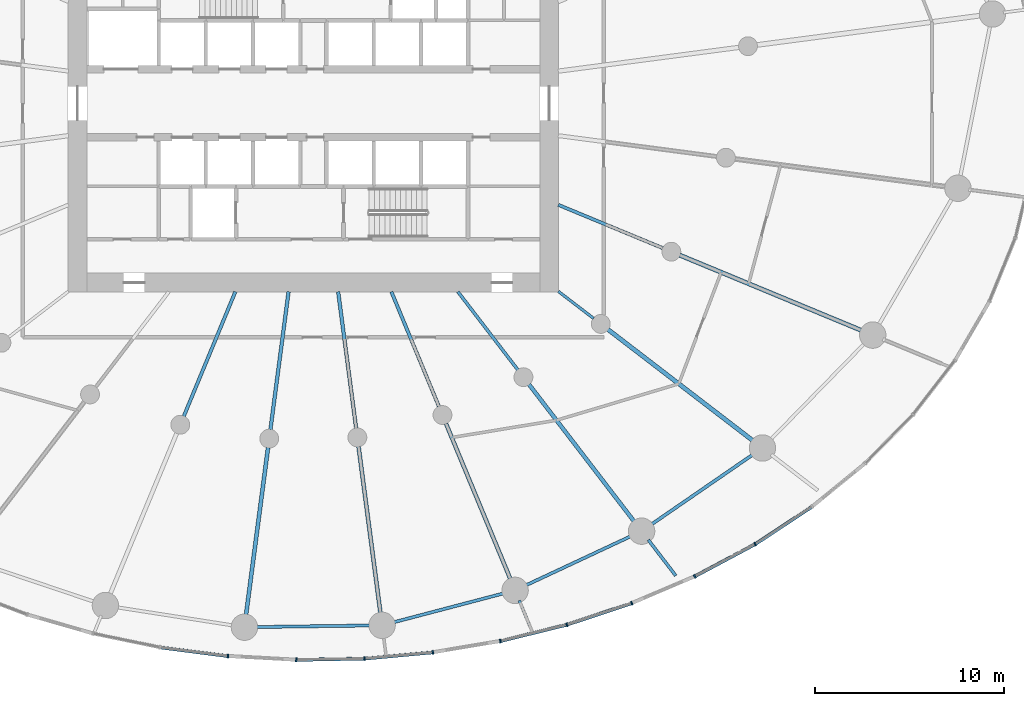
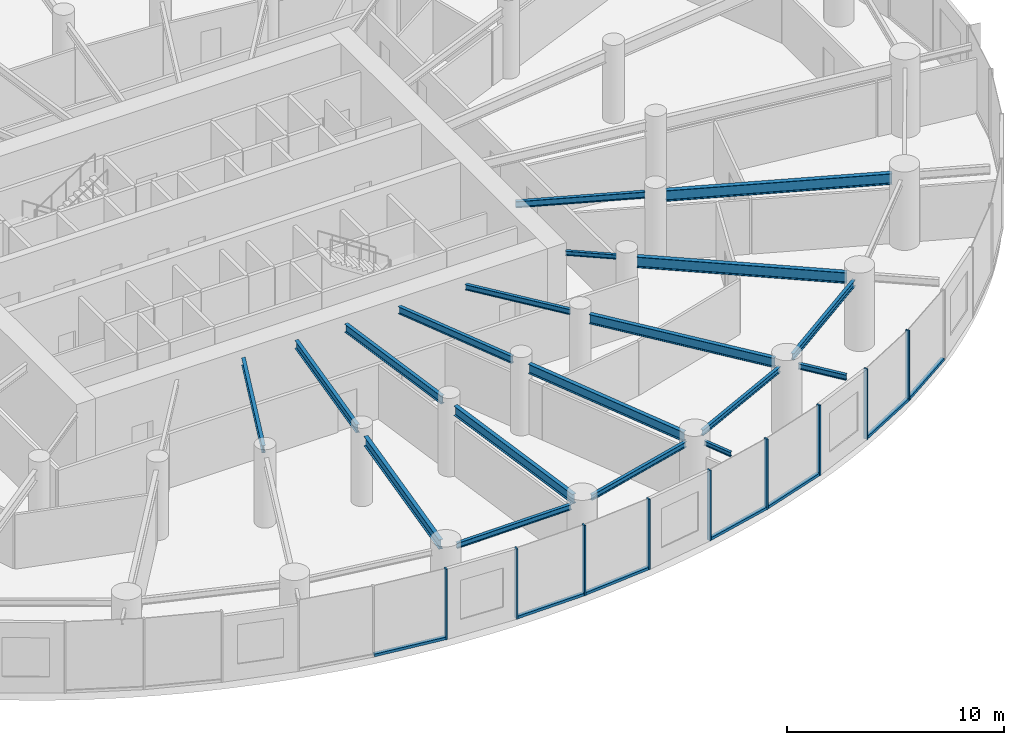
# One storey, part 4 of 19: 19 beams, 16 members, 2 elements without a shape of their own.
"""IFC4 building model written with IfcOpenShell, lengths in metres."""

import ifcopenshell
import ifcopenshell.guid

model = None  # the IFC model being written
_history = None  # IfcOwnerHistory: only IFC2X3 demands one
_inside = {}  # id of a spatial element -> (the spatial element, [elements in it])
_under = {}  # id of a project, library or spatial element -> (it, [spatial elements below it])
_declared = {}  # id of a project -> (the project, [libraries it declares])
_typed = {}  # id of a type object -> (the type object, [elements of that type])
_made_of = {}  # id of a material, layer set ... -> (it, [elements and type objects made of it])


def new_model(schema):
    """Start an empty IFC model of exactly this schema.

    Asked for "IFC4X3", IfcOpenShell would pick the latest addendum, in which some entities
    have other attributes; the version numbers below select the first issue.
    IFC2X3 requires an IfcOwnerHistory on every rooted entity: one is made here for all.
    """
    global model, _history
    if schema == "IFC4X3":
        model = ifcopenshell.file(schema_version=(4, 3, 0, 0))
    else:
        model = ifcopenshell.file(schema=schema)
    _inside.clear()
    _under.clear()
    _declared.clear()
    _typed.clear()
    _made_of.clear()
    _history = None
    if model.schema == "IFC2X3":
        org = make("IfcOrganization", Name="unknown")
        user = make(
            "IfcPersonAndOrganization",
            ThePerson=make("IfcPerson", FamilyName="unknown"),
            TheOrganization=org,
        )
        app = make(
            "IfcApplication",
            ApplicationDeveloper=org,
            Version="unknown",
            ApplicationFullName="unknown",
            ApplicationIdentifier="unknown",
        )
        _history = make(
            "IfcOwnerHistory",
            OwningUser=user,
            OwningApplication=app,
            ChangeAction="ADDED",
            CreationDate=0,
        )
    return model


def make(cls, **values):
    """One entity of the class cls with the attributes given. An attribute that is None is left unset."""
    return model.create_entity(
        cls, **{name: value for name, value in values.items() if value is not None}
    )


def rooted(cls, **values):
    """An entity with a GlobalId (a new one), such as an element, a storey or a relation."""
    return make(cls, GlobalId=ifcopenshell.guid.new(), OwnerHistory=_history, **values)


def si_unit(unit_type, name, prefix=None):
    """IfcSIUnit, for example si_unit("LENGTHUNIT", "METRE", prefix="MILLI")."""
    return make("IfcSIUnit", UnitType=unit_type, Prefix=prefix, Name=name)


def assignment(units):
    """IfcUnitAssignment: the units of a project."""
    return None if units is None else make("IfcUnitAssignment", Units=units)


def point(xyz):
    """IfcCartesianPoint."""
    return None if xyz is None else make("IfcCartesianPoint", Coordinates=xyz)


def direction(xyz):
    """IfcDirection."""
    return None if xyz is None else make("IfcDirection", DirectionRatios=xyz)


def frame(location, z_axis=None, x_axis=None):
    """IfcAxis2Placement3D, a coordinate frame: its origin and axes. An axis left out is left unset."""
    return make(
        "IfcAxis2Placement3D",
        Location=point(location),
        Axis=direction(z_axis),
        RefDirection=direction(x_axis),
    )


def frame_2d(location, x_axis=None):
    """IfcAxis2Placement2D, a coordinate frame in the plane: its origin and x axis."""
    return make(
        "IfcAxis2Placement2D", Location=point(location), RefDirection=direction(x_axis)
    )


def origin():
    """The frame at (0, 0, 0) with its axes left unset."""
    return frame((0.0, 0.0, 0.0))


def origin_2d():
    """The frame at (0, 0) in the plane with its x axis left unset."""
    return frame_2d((0.0, 0.0))


def place(relative_to, where):
    """IfcLocalPlacement: puts the frame where relative to a parent placement (None: the world)."""
    return make(
        "IfcLocalPlacement", PlacementRelTo=relative_to, RelativePlacement=where
    )


def context(
    kind, dimensions, precision=None, world=None, true_north=None, identifier=None
):
    """IfcGeometricRepresentationContext, for example the 3D "Model" context."""
    return make(
        "IfcGeometricRepresentationContext",
        ContextIdentifier=identifier,
        ContextType=kind,
        CoordinateSpaceDimension=dimensions,
        Precision=precision,
        WorldCoordinateSystem=world,
        TrueNorth=true_north,
    )


def subcontext(parent, identifier, kind, view, scale=None):
    """IfcGeometricRepresentationSubContext, for example "Body" below "Model"."""
    return make(
        "IfcGeometricRepresentationSubContext",
        ContextIdentifier=identifier,
        ContextType=kind,
        ParentContext=parent,
        TargetScale=scale,
        TargetView=view,
    )


def project(units=None, contexts=None):
    """IfcProject with its units and contexts."""
    return rooted(
        "IfcProject",
        Name="project",
        RepresentationContexts=contexts,
        UnitsInContext=assignment(units),
    )


def spatial(cls, under=None, at=None, **own):
    """A site, building, storey or space (cls), placed at a placement, below another one or the project."""
    s = rooted(cls, ObjectPlacement=at, **own)
    if under is not None:
        _under.setdefault(under.id(), (under, []))[1].append(s)
    return s


def profile(cls, at=None, kind="AREA", **sizes):
    """A parametric profile (cls). Its sizes go by their IFC names, for example OverallWidth=200.0."""
    return make(cls, ProfileType=kind, Position=at, **sizes)


def rectangle(**sizes):
    """IfcRectangleProfileDef."""
    return profile("IfcRectangleProfileDef", **sizes)


def i_section(**sizes):
    """IfcIShapeProfileDef."""
    return profile("IfcIShapeProfileDef", **sizes)


def extrude(swept, where, along, depth):
    """IfcExtrudedAreaSolid: the profile swept, set in the frame where, extruded along a direction by depth."""
    return make(
        "IfcExtrudedAreaSolid",
        SweptArea=swept,
        Position=where,
        ExtrudedDirection=direction(along),
        Depth=depth,
    )


def shape(context_of_items, identifier, shape_type, items):
    """IfcShapeRepresentation: the items that make up one representation, for example the "Body"."""
    return make(
        "IfcShapeRepresentation",
        ContextOfItems=context_of_items,
        RepresentationIdentifier=identifier,
        RepresentationType=shape_type,
        Items=items,
    )


def source(mapping_origin, context_of_items, identifier, shape_type, items):
    """IfcRepresentationMap: a shape defined once, which mapped items show again and again."""
    return make(
        "IfcRepresentationMap",
        MappingOrigin=mapping_origin,
        MappedRepresentation=shape(context_of_items, identifier, shape_type, items),
    )


def transform(
    local_origin,
    x_axis=None,
    y_axis=None,
    z_axis=None,
    scale=None,
    scale2=None,
    scale3=None,
    uniform=True,
):
    """IfcCartesianTransformationOperator3D, or its non-uniform kind. x_axis, y_axis, z_axis: its Axis1, 2, 3."""
    if uniform:
        return make(
            "IfcCartesianTransformationOperator3D",
            Axis1=direction(x_axis),
            Axis2=direction(y_axis),
            LocalOrigin=point(local_origin),
            Scale=scale,
            Axis3=direction(z_axis),
        )
    return make(
        "IfcCartesianTransformationOperator3DnonUniform",
        Axis1=direction(x_axis),
        Axis2=direction(y_axis),
        LocalOrigin=point(local_origin),
        Scale=scale,
        Axis3=direction(z_axis),
        Scale2=scale2,
        Scale3=scale3,
    )


def mapped(mapping_source, mapping_target):
    """IfcMappedItem: shows the shape of a source again, moved by a transform."""
    return make(
        "IfcMappedItem", MappingSource=mapping_source, MappingTarget=mapping_target
    )


def material(Name=None, Category=None):
    """IfcMaterial."""
    return make("IfcMaterial", Name=Name, Category=Category)


def layer(
    of_material, thickness, ventilated=None, Name=None, Category=None, Priority=None
):
    """IfcMaterialLayer: one layer of a wall or slab, of a material (None: an air gap)."""
    return make(
        "IfcMaterialLayer",
        Material=of_material,
        LayerThickness=thickness,
        IsVentilated=ventilated,
        Name=Name,
        Category=Category,
        Priority=Priority,
    )


def layer_set(layers, Name=None):
    """IfcMaterialLayerSet."""
    return make("IfcMaterialLayerSet", MaterialLayers=layers, LayerSetName=Name)


def material_profile(
    of_material, cross_section, Name=None, Category=None, Priority=None
):
    """IfcMaterialProfile: a cross section and its material."""
    return make(
        "IfcMaterialProfile",
        Name=Name,
        Material=of_material,
        Profile=cross_section,
        Priority=Priority,
        Category=Category,
    )


def profile_set(profiles, Name=None, composite=None):
    """IfcMaterialProfileSet."""
    return make(
        "IfcMaterialProfileSet",
        Name=Name,
        MaterialProfiles=profiles,
        CompositeProfile=composite,
    )


def made_of(thing, what):
    """Note that an element or type object is made of a material, layer set ...; save() writes the relation."""
    if what is not None:
        _made_of.setdefault(what.id(), (what, []))[1].append(thing)
    return thing


def type_object(cls, material=None, **own):
    """A type object (cls), such as IfcWallType, which elements share."""
    return made_of(rooted(cls, **own), material)


def element(
    cls,
    number,
    at=None,
    inside=None,
    cuts=None,
    type_object=None,
    material=None,
    context=None,
    identifier="Body",
    shape_type=None,
    held_by="IfcProductDefinitionShape",
    body=None,
    shapes=None,
    **own,
):
    """One element of the class cls, such as IfcWall. Its Tag is "e" and its number.

    at: its placement. inside: the storey or other place that contains it. cuts: it is an
    opening in that element (IfcRelVoidsElement). A single representation is given by context,
    identifier, shape_type and body (its items); several are given by shapes. held_by: the class
    of the entity that holds the representations. save() writes the other relations.
    """
    e = rooted(cls, Tag="e%d" % number, ObjectPlacement=at, **own)
    if body is not None:
        shapes = [shape(context, identifier, shape_type, body)]
    if shapes is not None:
        e.Representation = make(held_by, Representations=shapes)
    if inside is not None:
        _inside.setdefault(inside.id(), (inside, []))[1].append(e)
    if cuts is not None:
        rooted(
            "IfcRelVoidsElement", RelatingBuildingElement=cuts, RelatedOpeningElement=e
        )
    if type_object is not None:
        _typed.setdefault(type_object.id(), (type_object, []))[1].append(e)
    return made_of(e, material)


def aggregate(whole, parts):
    """IfcRelAggregates: a whole, such as a stair, and the parts it consists of."""
    return rooted("IfcRelAggregates", RelatingObject=whole, RelatedObjects=parts)


def save(model, path):
    """Write the relations noted so far, then the file.

    IfcRelAggregates (storeys below a building ...), IfcRelContainedInSpatialStructure (elements
    in a storey), IfcRelDefinesByType, IfcRelAssociatesMaterial and IfcRelDeclares: one each for
    every whole, place, type object, material and project.
    """
    for whole, parts in _under.values():
        aggregate(whole, parts)
    for where, things in _inside.values():
        rooted(
            "IfcRelContainedInSpatialStructure",
            RelatedElements=things,
            RelatingStructure=where,
        )
    for kind, things in _typed.values():
        rooted("IfcRelDefinesByType", RelatedObjects=things, RelatingType=kind)
    for what, things in _made_of.values():
        rooted("IfcRelAssociatesMaterial", RelatedObjects=things, RelatingMaterial=what)
    for by, libraries in _declared.values():
        rooted("IfcRelDeclares", RelatingContext=by, RelatedDefinitions=libraries)
    model.write(path)


model = new_model("IFC4")

# Units and contexts
model_context = context("Model", 3, precision=1e-05, world=origin(), true_north=direction((0.0, 1.0)))
body_context = subcontext(model_context, "Body", "Model", "MODEL_VIEW")
ifc_project = project(units=[si_unit("LENGTHUNIT", "METRE"), si_unit("AREAUNIT", "SQUARE_METRE"), si_unit("VOLUMEUNIT", "CUBIC_METRE"), si_unit("PLANEANGLEUNIT", "RADIAN"), si_unit("MASSUNIT", "GRAM", prefix="KILO")], contexts=[model_context])

# Site, building, storey
site_placement = place(None, origin())
site = spatial("IfcSite", under=ifc_project, at=site_placement, CompositionType="ELEMENT")
building_placement = place(site_placement, origin())
building = spatial("IfcBuilding", under=site, at=building_placement, Name="Spindrift Exchange Tower", CompositionType="ELEMENT")
storey_placement = place(building_placement, frame((0.0, 0.0, 22.60009765625)))
storey = spatial("IfcBuildingStorey", under=building, at=storey_placement, Name="L05", CompositionType="ELEMENT", Elevation=22.60009765625)

# Beams
ifc_material_1 = material(Name="Steel Grade 300", Category="steel")
ifc_material_profile_1 = material_profile(ifc_material_1, i_section(OverallWidth=0.177978515625, OverallDepth=0.406005859375, WebThickness=0.0078125, FlangeThickness=0.0126953125, FilletRadius=0.013916015625, at=origin_2d()), Name="410UB59.7")
ifc_profile_set_1 = profile_set([ifc_material_profile_1], Name="Steel Grade 300")
beam_type_1 = type_object("IfcBeamType", Name="Floor Beam 410UB59.7 Steel Grade 300", PredefinedType="BEAM", material=ifc_profile_set_1)
shared_shape_1 = source(origin(), body_context, "Body", "SweptSolid", [
    extrude(i_section(OverallWidth=0.177978515625, OverallDepth=0.406005859375, WebThickness=0.0078125, FlangeThickness=0.0126953125, FilletRadius=0.013916015625, at=origin_2d()), origin(), (0.0, 0.0, 1.0), 7.150634765625),
])
beam_1_placement = place(storey_placement, frame((47.865478515625, 38.0185546875, 3.746826171875), z_axis=(-0.382665393358, -0.923887004306, 0.0), x_axis=(0.923887004306, -0.382665393358, 0.0)))
element("IfcBeam", 1, at=beam_1_placement, inside=storey, type_object=beam_type_1, Name="L05 radial beam R17A", PredefinedType="BEAM", context=body_context, shape_type="MappedRepresentation", body=[
    mapped(shared_shape_1, transform((0.0, 0.0, 0.0), scale=1.0)),
])
ifc_material_profile_2 = material_profile(ifc_material_1, i_section(OverallWidth=0.18994140625, OverallDepth=0.45703125, WebThickness=0.009033203125, FlangeThickness=0.014404296875, FilletRadius=0.013916015625, at=origin_2d()), Name="460UB74.6")
ifc_profile_set_2 = profile_set([ifc_material_profile_2], Name="Steel Grade 300")
beam_type_2 = type_object("IfcBeamType", Name="Floor Beam 460UB74.6 Steel Grade 300", PredefinedType="BEAM", material=ifc_profile_set_2)
shared_shape_2 = source(origin(), body_context, "Body", "SweptSolid", [
    extrude(i_section(OverallWidth=0.18994140625, OverallDepth=0.45703125, WebThickness=0.009033203125, FlangeThickness=0.014404296875, FilletRadius=0.013916015625, at=origin_2d()), origin(), (0.0, 0.0, 1.0), 7.374267578125),
])
beam_2_placement = place(storey_placement, frame((50.68603515625, 38.019775390625, 3.721435546875), z_axis=(-0.130539295622, -0.99144313619, 0.0), x_axis=(0.99144313619, -0.130539295622, 0.0)))
element("IfcBeam", 2, at=beam_2_placement, inside=storey, type_object=beam_type_2, Name="L05 radial beam R18A", PredefinedType="BEAM", context=body_context, shape_type="MappedRepresentation", body=[
    mapped(shared_shape_2, transform((0.0, 0.0, 0.0), scale=1.0)),
])
ifc_material_profile_3 = material_profile(ifc_material_1, i_section(OverallWidth=0.208984375, OverallDepth=0.532958984375, WebThickness=0.01025390625, FlangeThickness=0.015625, FilletRadius=0.013916015625, at=origin_2d()), Name="530UB92.4")
ifc_profile_set_3 = profile_set([ifc_material_profile_3], Name="Steel Grade 300")
beam_type_3 = type_object("IfcBeamType", Name="Floor Beam 530UB92.4 Steel Grade 300", PredefinedType="BEAM", material=ifc_profile_set_3)
shared_shape_3 = source(origin(), body_context, "Body", "SweptSolid", [
    extrude(i_section(OverallWidth=0.208984375, OverallDepth=0.532958984375, WebThickness=0.01025390625, FlangeThickness=0.015625, FilletRadius=0.013916015625, at=origin_2d()), origin(), (0.0, 0.0, 1.0), 9.020263671875),
])
beam_3_placement = place(storey_placement, frame((49.59814453125, 29.7568359375, 3.683349609375), z_axis=(-0.13051122338, -0.991446831944, 0.0), x_axis=(0.991446831944, -0.13051122338, 0.0)))
element("IfcBeam", 3, at=beam_3_placement, inside=storey, type_object=beam_type_3, Name="L05 radial beam R18B", PredefinedType="BEAM", context=body_context, shape_type="MappedRepresentation", body=[
    mapped(shared_shape_3, transform((0.0, 0.0, 0.0), scale=1.0)),
])
shared_shape_4 = source(origin(), body_context, "Body", "SweptSolid", [
    extrude(i_section(OverallWidth=0.18994140625, OverallDepth=0.45703125, WebThickness=0.009033203125, FlangeThickness=0.014404296875, FilletRadius=0.013916015625, at=origin_2d()), origin(), (0.0, 0.0, 1.0), 7.3095703125),
])
beam_4_placement = place(storey_placement, frame((53.31396484375, 38.019775390625, 3.721435546875), z_axis=(0.130527087244, -0.991444743541, 0.0), x_axis=(0.991444743541, 0.130527087244, 0.0)))
element("IfcBeam", 4, at=beam_4_placement, inside=storey, type_object=beam_type_2, Name="L05 radial beam R19A", PredefinedType="BEAM", context=body_context, shape_type="MappedRepresentation", body=[
    mapped(shared_shape_4, transform((0.0, 0.0, 0.0), scale=1.0)),
])
shared_shape_5 = source(origin(), body_context, "Body", "SweptSolid", [
    extrude(i_section(OverallWidth=0.208984375, OverallDepth=0.532958984375, WebThickness=0.01025390625, FlangeThickness=0.015625, FilletRadius=0.013916015625, at=origin_2d()), origin(), (0.0, 0.0, 1.0), 8.98388671875),
])
beam_5_placement = place(storey_placement, frame((54.393310546875, 29.82080078125, 3.683349609375), z_axis=(0.130524106785, -0.991445135924, 0.0), x_axis=(0.991445135924, 0.130524106785, 0.0)))
element("IfcBeam", 5, at=beam_5_placement, inside=storey, type_object=beam_type_3, Name="L05 radial beam R19B", PredefinedType="BEAM", context=body_context, shape_type="MappedRepresentation", body=[
    mapped(shared_shape_5, transform((0.0, 0.0, 0.0), scale=1.0)),
])
shared_shape_6 = source(origin(), body_context, "Body", "SweptSolid", [
    extrude(i_section(OverallWidth=0.177978515625, OverallDepth=0.406005859375, WebThickness=0.0078125, FlangeThickness=0.0126953125, FilletRadius=0.013916015625, at=origin_2d()), origin(), (0.0, 0.0, 1.0), 6.594482421875),
])
beam_6_placement = place(storey_placement, frame((56.134521484375, 38.0185546875, 3.746826171875), z_axis=(0.382692929746, -0.92387559851, 0.0), x_axis=(0.92387559851, 0.382692929746, 0.0)))
element("IfcBeam", 6, at=beam_6_placement, inside=storey, type_object=beam_type_1, Name="L05 radial beam R20A", PredefinedType="BEAM", context=body_context, shape_type="MappedRepresentation", body=[
    mapped(shared_shape_6, transform((0.0, 0.0, 0.0), scale=1.0)),
])
shared_shape_7 = source(origin(), body_context, "Body", "SweptSolid", [
    extrude(i_section(OverallWidth=0.208984375, OverallDepth=0.532958984375, WebThickness=0.01025390625, FlangeThickness=0.015625, FilletRadius=0.013916015625, at=origin_2d()), origin(), (0.0, 0.0, 1.0), 8.99658203125),
])
beam_7_placement = place(storey_placement, frame((59.025390625, 31.0390625, 3.683349609375), z_axis=(0.382685731718, -0.923878580085, 0.0), x_axis=(0.923878580085, 0.382685731718, 0.0)))
element("IfcBeam", 7, at=beam_7_placement, inside=storey, type_object=beam_type_3, Name="L05 radial beam R20B", PredefinedType="BEAM", context=body_context, shape_type="MappedRepresentation", body=[
    mapped(shared_shape_7, transform((0.0, 0.0, 0.0), scale=1.0)),
])
ifc_material_profile_4 = material_profile(ifc_material_1, i_section(OverallWidth=0.1650390625, OverallDepth=0.303955078125, WebThickness=0.006103515625, FlangeThickness=0.01025390625, FilletRadius=0.011474609375, at=origin_2d()), Name="310UB40.4")
ifc_profile_set_4 = profile_set([ifc_material_profile_4], Name="Steel Grade 300")
beam_type_4 = type_object("IfcBeamType", Name="Floor Beam 310UB40.4 Steel Grade 300", PredefinedType="BEAM", material=ifc_profile_set_4)
shared_shape_8 = source(origin(), body_context, "Body", "SweptSolid", [
    extrude(i_section(OverallWidth=0.1650390625, OverallDepth=0.303955078125, WebThickness=0.006103515625, FlangeThickness=0.01025390625, FilletRadius=0.011474609375, at=origin_2d()), origin(), (0.0, 0.0, 1.0), 5.224609375),
])
beam_8_placement = place(storey_placement, frame((59.6611328125, 38.015869140625, 3.7978515625), z_axis=(0.608741499316, -0.793368632485, 0.0), x_axis=(0.793368632485, 0.608741499316, 0.0)))
element("IfcBeam", 8, at=beam_8_placement, inside=storey, type_object=beam_type_4, Name="L05 radial beam R21A", PredefinedType="BEAM", context=body_context, shape_type="MappedRepresentation", body=[
    mapped(shared_shape_8, transform((0.0, 0.0, 0.0), scale=1.0)),
])
shared_shape_9 = source(origin(), body_context, "Body", "SweptSolid", [
    extrude(i_section(OverallWidth=0.208984375, OverallDepth=0.532958984375, WebThickness=0.01025390625, FlangeThickness=0.015625, FilletRadius=0.013916015625, at=origin_2d()), origin(), (0.0, 0.0, 1.0), 9.227783203125),
])
beam_9_placement = place(storey_placement, frame((63.426025390625, 33.109375, 3.683349609375), z_axis=(0.608747534474, -0.79336400175, 0.0), x_axis=(0.79336400175, 0.608747534474, 0.0)))
element("IfcBeam", 9, at=beam_9_placement, inside=storey, type_object=beam_type_3, Name="L05 radial beam R21B", PredefinedType="BEAM", context=body_context, shape_type="MappedRepresentation", body=[
    mapped(shared_shape_9, transform((0.0, 0.0, 0.0), scale=1.0)),
])
ifc_material_profile_5 = material_profile(ifc_material_1, i_section(OverallWidth=0.14599609375, OverallDepth=0.251953125, WebThickness=0.006103515625, FlangeThickness=0.008544921875, FilletRadius=0.011962890625, at=origin_2d()), Name="250UB31.4")
ifc_profile_set_5 = profile_set([ifc_material_profile_5], Name="Steel Grade 300")
beam_type_5 = type_object("IfcBeamType", Name="Floor Beam 250UB31.4 Steel Grade 300", PredefinedType="BEAM", material=ifc_profile_set_5)
shared_shape_10 = source(origin(), body_context, "Body", "SweptSolid", [
    extrude(i_section(OverallWidth=0.14599609375, OverallDepth=0.251953125, WebThickness=0.006103515625, FlangeThickness=0.008544921875, FilletRadius=0.011962890625, at=origin_2d()), origin(), (0.0, 0.0, 1.0), 2.353759765625),
])
beam_10_placement = place(storey_placement, frame((64.984130859375, 38.036865234375, 3.823974609375), z_axis=(0.793367573265, -0.608742879787, 0.0), x_axis=(0.608742879787, 0.793367573265, 0.0)))
element("IfcBeam", 10, at=beam_10_placement, inside=storey, type_object=beam_type_5, Name="L05 radial beam R22A", PredefinedType="BEAM", context=body_context, shape_type="MappedRepresentation", body=[
    mapped(shared_shape_10, transform((0.0, 0.0, 0.0), scale=1.0)),
])
ifc_material_profile_6 = material_profile(ifc_material_1, i_section(OverallWidth=0.22802734375, OverallDepth=0.60693359375, WebThickness=0.01123046875, FlangeThickness=0.017333984375, FilletRadius=0.013916015625, at=origin_2d()), Name="610UB113")
ifc_profile_set_6 = profile_set([ifc_material_profile_6], Name="Steel Grade 300")
beam_type_6 = type_object("IfcBeamType", Name="Floor Beam 610UB113 Steel Grade 300", PredefinedType="BEAM", material=ifc_profile_set_6)
shared_shape_11 = source(origin(), body_context, "Body", "SweptSolid", [
    extrude(i_section(OverallWidth=0.22802734375, OverallDepth=0.60693359375, WebThickness=0.01123046875, FlangeThickness=0.017333984375, FilletRadius=0.013916015625, at=origin_2d()), origin(), (0.0, 0.0, 1.0), 9.73974609375),
])
beam_11_placement = place(storey_placement, frame((67.61328125, 36.01953125, 3.646484375), z_axis=(0.793352119621, -0.608763019814, 0.0), x_axis=(0.608763019814, 0.793352119621, 0.0)))
element("IfcBeam", 11, at=beam_11_placement, inside=storey, type_object=beam_type_6, Name="L05 radial beam R22B", PredefinedType="BEAM", context=body_context, shape_type="MappedRepresentation", body=[
    mapped(shared_shape_11, transform((0.0, 0.0, 0.0), scale=1.0)),
])
ifc_material_profile_7 = material_profile(ifc_material_1, i_section(OverallWidth=0.172119140625, OverallDepth=0.35888671875, WebThickness=0.008056640625, FlangeThickness=0.012939453125, FilletRadius=0.013916015625, at=origin_2d()), Name="360UB56.7")
ifc_profile_set_7 = profile_set([ifc_material_profile_7], Name="Steel Grade 300")
beam_type_7 = type_object("IfcBeamType", Name="Floor Beam 360UB56.7 Steel Grade 300", PredefinedType="BEAM", material=ifc_profile_set_7)
shared_shape_12 = source(origin(), body_context, "Body", "SweptSolid", [
    extrude(i_section(OverallWidth=0.172119140625, OverallDepth=0.35888671875, WebThickness=0.008056640625, FlangeThickness=0.012939453125, FilletRadius=0.013916015625, at=origin_2d()), origin(), (0.0, 0.0, 1.0), 6.004638671875),
])
beam_12_placement = place(storey_placement, frame((64.9814453125, 42.622802734375, 3.7705078125), z_axis=(0.923882044911, -0.38267736684, 0.0), x_axis=(0.38267736684, 0.923882044911, 0.0)))
element("IfcBeam", 12, at=beam_12_placement, inside=storey, type_object=beam_type_7, Name="L05 radial beam R23A", PredefinedType="BEAM", context=body_context, shape_type="MappedRepresentation", body=[
    mapped(shared_shape_12, transform((0.0, 0.0, 0.0), scale=1.0)),
])
shared_shape_13 = source(origin(), body_context, "Body", "SweptSolid", [
    extrude(i_section(OverallWidth=0.22802734375, OverallDepth=0.60693359375, WebThickness=0.01123046875, FlangeThickness=0.017333984375, FilletRadius=0.013916015625, at=origin_2d()), origin(), (0.0, 0.0, 1.0), 10.4912109375),
])
beam_13_placement = place(storey_placement, frame((71.416015625, 39.95751953125, 3.646484375), z_axis=(0.923885231151, -0.382669674342, 0.0), x_axis=(0.382669674342, 0.923885231151, 0.0)))
element("IfcBeam", 13, at=beam_13_placement, inside=storey, type_object=beam_type_6, Name="L05 radial beam R23B", PredefinedType="BEAM", context=body_context, shape_type="MappedRepresentation", body=[
    mapped(shared_shape_13, transform((0.0, 0.0, 0.0), scale=1.0)),
])
ifc_material_profile_8 = material_profile(ifc_material_1, i_section(OverallWidth=0.1650390625, OverallDepth=0.303955078125, WebThickness=0.006103515625, FlangeThickness=0.01025390625, FilletRadius=0.011474609375, at=origin_2d()), Name="310UB40.4")
ifc_profile_set_8 = profile_set([ifc_material_profile_8], Name="Steel Grade 300")
beam_type_8 = type_object("IfcBeamType", Name="Edge Beam 310UB40.4 Steel Grade 300", PredefinedType="SPANDREL", material=ifc_profile_set_8)
shared_shape_14 = source(origin(), body_context, "Body", "SweptSolid", [
    extrude(i_section(OverallWidth=0.1650390625, OverallDepth=0.303955078125, WebThickness=0.006103515625, FlangeThickness=0.01025390625, FilletRadius=0.011474609375, at=origin_2d()), origin(), (0.0, 0.0, 1.0), 6.13720703125),
])
beam_14_placement = place(storey_placement, frame((48.925048828125, 20.24658203125, 3.7978515625), z_axis=(0.999905820907, 0.013724041543, 0.0), x_axis=(-0.013724041543, 0.999905820907, 0.0)))
element("IfcBeam", 14, at=beam_14_placement, inside=storey, type_object=beam_type_8, Name="L05 edge beam E18", PredefinedType="SPANDREL", context=body_context, shape_type="MappedRepresentation", body=[
    mapped(shared_shape_14, transform((0.0, 0.0, 0.0), scale=1.0)),
])
shared_shape_15 = source(origin(), body_context, "Body", "SweptSolid", [
    extrude(i_section(OverallWidth=0.1650390625, OverallDepth=0.303955078125, WebThickness=0.006103515625, FlangeThickness=0.01025390625, FilletRadius=0.011474609375, at=origin_2d()), origin(), (0.0, 0.0, 1.0), 6.128173828125),
])
beam_15_placement = place(storey_placement, frame((56.20263671875, 20.486083984375, 3.7978515625), z_axis=(0.967147261855, 0.254216785216, 0.0), x_axis=(-0.254216785216, 0.967147261855, 0.0)))
element("IfcBeam", 15, at=beam_15_placement, inside=storey, type_object=beam_type_8, Name="L05 edge beam E19", PredefinedType="SPANDREL", context=body_context, shape_type="MappedRepresentation", body=[
    mapped(shared_shape_15, transform((0.0, 0.0, 0.0), scale=1.0)),
])
shared_shape_16 = source(origin(), body_context, "Body", "SweptSolid", [
    extrude(i_section(OverallWidth=0.1650390625, OverallDepth=0.303955078125, WebThickness=0.006103515625, FlangeThickness=0.01025390625, FilletRadius=0.011474609375, at=origin_2d()), origin(), (0.0, 0.0, 1.0), 6.243408203125),
])
beam_16_placement = place(storey_placement, frame((63.2158203125, 22.43701171875, 3.7978515625), z_axis=(0.905791146607, 0.423724437257, 0.0), x_axis=(-0.423724437257, 0.905791146607, 0.0)))
element("IfcBeam", 16, at=beam_16_placement, inside=storey, type_object=beam_type_8, Name="L05 edge beam E20", PredefinedType="SPANDREL", context=body_context, shape_type="MappedRepresentation", body=[
    mapped(shared_shape_16, transform((0.0, 0.0, 0.0), scale=1.0)),
])
ifc_material_profile_9 = material_profile(ifc_material_1, i_section(OverallWidth=0.172119140625, OverallDepth=0.35888671875, WebThickness=0.008056640625, FlangeThickness=0.012939453125, FilletRadius=0.013916015625, at=origin_2d()), Name="360UB56.7")
ifc_profile_set_9 = profile_set([ifc_material_profile_9], Name="Steel Grade 300")
beam_type_9 = type_object("IfcBeamType", Name="Edge Beam 360UB56.7 Steel Grade 300", PredefinedType="SPANDREL", material=ifc_profile_set_9)
shared_shape_17 = source(origin(), body_context, "Body", "SweptSolid", [
    extrude(i_section(OverallWidth=0.172119140625, OverallDepth=0.35888671875, WebThickness=0.008056640625, FlangeThickness=0.012939453125, FilletRadius=0.013916015625, at=origin_2d()), origin(), (0.0, 0.0, 1.0), 6.614990234375),
])
beam_17_placement = place(storey_placement, frame((69.874267578125, 25.6572265625, 3.7705078125), z_axis=(0.823690708835, 0.567039342708, 0.0), x_axis=(-0.567039342708, 0.823690708835, 0.0)))
element("IfcBeam", 17, at=beam_17_placement, inside=storey, type_object=beam_type_9, Name="L05 edge beam E21", PredefinedType="SPANDREL", context=body_context, shape_type="MappedRepresentation", body=[
    mapped(shared_shape_17, transform((0.0, 0.0, 0.0), scale=1.0)),
])
ifc_material_profile_10 = material_profile(ifc_material_1, i_section(OverallWidth=0.14599609375, OverallDepth=0.251953125, WebThickness=0.006103515625, FlangeThickness=0.008544921875, FilletRadius=0.011962890625, at=origin_2d()), Name="250UB31.4")
ifc_profile_set_10 = profile_set([ifc_material_profile_10], Name="Steel Grade 300")
beam_type_10 = type_object("IfcBeamType", Name="Cantilever Beam 250UB31.4 Steel Grade 300", PredefinedType="BEAM", material=ifc_profile_set_10)
shared_shape_18 = source(origin(), body_context, "Body", "SweptSolid", [
    extrude(i_section(OverallWidth=0.14599609375, OverallDepth=0.251953125, WebThickness=0.006103515625, FlangeThickness=0.008544921875, FilletRadius=0.011962890625, at=origin_2d()), origin(), (0.0, 0.0, 1.0), 1.5302734375),
])
beam_18_placement = place(storey_placement, frame((62.912109375, 21.655517578125, 3.823974609375), z_axis=(0.382722820897, -0.923863216263, 0.0), x_axis=(0.923863216263, 0.382722820897, 0.0)))
element("IfcBeam", 18, at=beam_18_placement, inside=storey, type_object=beam_type_10, Name="L05 cantilever beam R20T", PredefinedType="BEAM", context=body_context, shape_type="MappedRepresentation", body=[
    mapped(shared_shape_18, transform((0.0, 0.0, 0.0), scale=1.0)),
])
ifc_material_profile_11 = material_profile(ifc_material_1, i_section(OverallWidth=0.1650390625, OverallDepth=0.303955078125, WebThickness=0.006103515625, FlangeThickness=0.01025390625, FilletRadius=0.011474609375, at=origin_2d()), Name="310UB40.4")
ifc_profile_set_11 = profile_set([ifc_material_profile_11], Name="Steel Grade 300")
beam_type_11 = type_object("IfcBeamType", Name="Cantilever Beam 310UB40.4 Steel Grade 300", PredefinedType="BEAM", material=ifc_profile_set_11)
shared_shape_19 = source(origin(), body_context, "Body", "SweptSolid", [
    extrude(i_section(OverallWidth=0.1650390625, OverallDepth=0.303955078125, WebThickness=0.006103515625, FlangeThickness=0.01025390625, FilletRadius=0.011474609375, at=origin_2d()), origin(), (0.0, 0.0, 1.0), 2.39404296875),
])
beam_19_placement = place(storey_placement, frame((69.749755859375, 24.8681640625, 3.7978515625), z_axis=(0.608709824123, -0.793392935446, 0.0), x_axis=(0.793392935446, 0.608709824123, 0.0)))
element("IfcBeam", 19, at=beam_19_placement, inside=storey, type_object=beam_type_11, Name="L05 cantilever beam R21T", PredefinedType="BEAM", context=body_context, shape_type="MappedRepresentation", body=[
    mapped(shared_shape_19, transform((0.0, 0.0, 0.0), scale=1.0)),
])

# Curtain wall, members
ifc_material_2 = material(Name="Fritted laminated glass with bronze frame", Category="glass")
ifc_layer = layer(ifc_material_2, 0.199951171875)
ifc_layer_set = layer_set([ifc_layer], Name="ZONE 1 BRONZE FRITTED WALL")
curtain_wall_type = type_object("IfcCurtainWallType", Name="ZONE 1 BRONZE FRITTED WALL", PredefinedType="NOTDEFINED", material=ifc_layer_set)
curtain_wall_1_placement = place(storey_placement, origin())
curtain_wall_1 = element("IfcCurtainWall", 20, at=curtain_wall_1_placement, inside=storey, type_object=curtain_wall_type, Name="L05 Zone 1 Bronze Fritted Wall run 8", PredefinedType="NOTDEFINED")
ifc_material_3 = material(Name="Bronze anodised aluminium", Category="aluminium")
ifc_material_profile_12 = material_profile(ifc_material_3, rectangle(XDim=0.080078125, YDim=0.199951171875, at=origin_2d()), Name="ZONE 1 BRONZE FRITTED WALL MULLION 80X200")
ifc_profile_set_12 = profile_set([ifc_material_profile_12], Name="Bronze anodised aluminium")
member_type_1 = type_object("IfcMemberType", Name="ZONE 1 BRONZE FRITTED WALL MULLION 80X200", PredefinedType="MULLION", material=ifc_profile_set_12)
shared_shape_20 = source(origin(), body_context, "Body", "SweptSolid", [
    extrude(rectangle(XDim=0.080078125, YDim=0.199951171875, at=origin_2d()), origin(), (0.0, 0.0, 1.0), 3.949951171875),
])
member_1_placement = place(storey_placement, frame((47.470947265625, 18.706298828125, 0.0), z_axis=(0.0, 0.0, 1.0), x_axis=(0.995826086123, -0.09127105892, 0.0)))
member_1 = element("IfcMember", 21, at=member_1_placement, type_object=member_type_1, Name="L05 mullion CW-1.44", PredefinedType="MULLION", context=body_context, shape_type="MappedRepresentation", body=[
    mapped(shared_shape_20, transform((0.0, 0.0, 0.0), scale=1.0)),
])
member_2_placement = place(storey_placement, frame((51.093017578125, 18.50830078125, 0.0), z_axis=(0.0, 0.0, 1.0), x_axis=(0.999833990796, -0.018220616052, 0.0)))
member_2 = element("IfcMember", 22, at=member_2_placement, type_object=member_type_1, Name="L05 mullion CW-1.45", PredefinedType="MULLION", context=body_context, shape_type="MappedRepresentation", body=[
    mapped(shared_shape_20, transform((0.0, 0.0, 0.0), scale=1.0)),
])
member_3_placement = place(storey_placement, frame((54.7197265625, 18.57421875, 0.0), z_axis=(0.0, 0.0, 1.0), x_axis=(0.998502626093, 0.054703799552, 0.0)))
member_3 = element("IfcMember", 23, at=member_3_placement, type_object=member_type_1, Name="L05 mullion CW-1.46", PredefinedType="MULLION", context=body_context, shape_type="MappedRepresentation", body=[
    mapped(shared_shape_20, transform((0.0, 0.0, 0.0), scale=1.0)),
])
member_4_placement = place(storey_placement, frame((58.33203125, 18.90478515625, 0.0), z_axis=(0.0, 0.0, 1.0), x_axis=(0.991779042534, 0.127962224075, 0.0)))
member_4 = element("IfcMember", 24, at=member_4_placement, type_object=member_type_1, Name="L05 mullion CW-1.47", PredefinedType="MULLION", context=body_context, shape_type="MappedRepresentation", body=[
    mapped(shared_shape_20, transform((0.0, 0.0, 0.0), scale=1.0)),
])
member_5_placement = place(storey_placement, frame((61.909912109375, 19.501953125, 0.0), z_axis=(0.0, 0.0, 1.0), x_axis=(0.979401994685, 0.201920114915, 0.0)))
member_5 = element("IfcMember", 25, at=member_5_placement, type_object=member_type_1, Name="L05 mullion CW-1.48", PredefinedType="MULLION", context=body_context, shape_type="MappedRepresentation", body=[
    mapped(shared_shape_20, transform((0.0, 0.0, 0.0), scale=1.0)),
])

curtain_wall_2_placement = place(storey_placement, origin())
curtain_wall_2 = element("IfcCurtainWall", 26, at=curtain_wall_2_placement, inside=storey, type_object=curtain_wall_type, Name="L05 Zone 1 Bronze Fritted Wall run 9", PredefinedType="NOTDEFINED")
member_6_placement = place(storey_placement, frame((65.43212890625, 20.36865234375, 0.0), z_axis=(0.0, 0.0, 1.0), x_axis=(0.960884228784, 0.276950354529, 0.0)))
member_6 = element("IfcMember", 27, at=member_6_placement, type_object=member_type_1, Name="L05 mullion CW-1.49", PredefinedType="MULLION", context=body_context, shape_type="MappedRepresentation", body=[
    mapped(shared_shape_20, transform((0.0, 0.0, 0.0), scale=1.0)),
])
member_7_placement = place(storey_placement, frame((68.87548828125, 21.509521484375, 0.0), z_axis=(0.0, 0.0, 1.0), x_axis=(0.935479053245, 0.353382145757, 0.0)))
member_7 = element("IfcMember", 28, at=member_7_placement, type_object=member_type_1, Name="L05 mullion CW-1.50", PredefinedType="MULLION", context=body_context, shape_type="MappedRepresentation", body=[
    mapped(shared_shape_20, transform((0.0, 0.0, 0.0), scale=1.0)),
])
member_8_placement = place(storey_placement, frame((72.212890625, 22.93017578125, 0.0), z_axis=(0.0, 0.0, 1.0), x_axis=(0.902161476757, 0.431398504697, 0.0)))
member_8 = element("IfcMember", 29, at=member_8_placement, type_object=member_type_1, Name="L05 mullion CW-1.51", PredefinedType="MULLION", context=body_context, shape_type="MappedRepresentation", body=[
    mapped(shared_shape_20, transform((0.0, 0.0, 0.0), scale=1.0)),
])
member_9_placement = place(storey_placement, frame((75.41357421875, 24.635986328125, 0.0), z_axis=(0.0, 0.0, 1.0), x_axis=(0.859576504333, 0.511007077445, 0.0)))
member_9 = element("IfcMember", 30, at=member_9_placement, type_object=member_type_1, Name="L05 mullion CW-1.52", PredefinedType="MULLION", context=body_context, shape_type="MappedRepresentation", body=[
    mapped(shared_shape_20, transform((0.0, 0.0, 0.0), scale=1.0)),
])
ifc_material_profile_13 = material_profile(ifc_material_3, rectangle(XDim=0.179931640625, YDim=0.14990234375, at=origin_2d()), Name="ZONE 1 BRONZE FRITTED WALL TRANSOM 180X150")
ifc_profile_set_13 = profile_set([ifc_material_profile_13], Name="Bronze anodised aluminium")
member_type_2 = type_object("IfcMemberType", Name="ZONE 1 BRONZE FRITTED WALL TRANSOM 180X150", PredefinedType="USERDEFINED", material=ifc_profile_set_13)
shared_shape_21 = source(origin(), body_context, "Body", "SweptSolid", [
    extrude(rectangle(XDim=0.179931640625, YDim=0.14990234375, at=origin_2d()), origin(), (0.0, 0.0, 1.0), 3.546875),
])
member_10_placement = place(storey_placement, frame((72.248046875, 22.948974609375, 0.074951171875), z_axis=(0.882491995187, 0.470327416201, 0.0), x_axis=(-0.470327416201, 0.882491995187, 0.0)))
member_10 = element("IfcMember", 31, at=member_10_placement, type_object=member_type_2, Name="L05 transom CW-1.51", ObjectType="TRANSOM", PredefinedType="USERDEFINED", context=body_context, shape_type="MappedRepresentation", body=[
    mapped(shared_shape_21, transform((0.0, 0.0, 0.0), scale=1.0)),
])
member_11_placement = place(storey_placement, frame((75.44677734375, 24.657958984375, 0.074951171875), z_axis=(0.834782775683, 0.550579437886, 0.0), x_axis=(-0.550579437886, 0.834782775683, 0.0)))
member_11 = element("IfcMember", 32, at=member_11_placement, type_object=member_type_2, Name="L05 transom CW-1.52", ObjectType="TRANSOM", PredefinedType="USERDEFINED", context=body_context, shape_type="MappedRepresentation", body=[
    mapped(shared_shape_21, transform((0.0, 0.0, 0.0), scale=1.0)),
])

# Member
shared_shape_22 = source(origin(), body_context, "Body", "SweptSolid", [
    extrude(rectangle(XDim=0.179931640625, YDim=0.14990234375, at=origin_2d()), origin(), (0.0, 0.0, 1.0), 3.54736328125),
])
member_12_placement = place(storey_placement, frame((43.9130859375, 19.164794921875, 0.074951171875), z_axis=(0.991799548693, -0.127803189364, 0.0), x_axis=(0.127803189364, 0.991799548693, 0.0)))
member_12 = element("IfcMember", 33, at=member_12_placement, type_object=member_type_2, Name="L05 transom CW-1.43", ObjectType="TRANSOM", PredefinedType="USERDEFINED", context=body_context, shape_type="MappedRepresentation", body=[
    mapped(shared_shape_22, transform((0.0, 0.0, 0.0), scale=1.0)),
])

member_13_placement = place(storey_placement, frame((61.94873046875, 19.511474609375, 0.074951171875), z_axis=(0.971030604405, 0.238955153341, 0.0), x_axis=(-0.238955153341, 0.971030604405, 0.0)))
member_13 = element("IfcMember", 34, at=member_13_placement, type_object=member_type_2, Name="L05 transom CW-1.48", ObjectType="TRANSOM", PredefinedType="USERDEFINED", context=body_context, shape_type="MappedRepresentation", body=[
    mapped(shared_shape_22, transform((0.0, 0.0, 0.0), scale=1.0)),
])

shared_shape_23 = source(origin(), body_context, "Body", "SweptSolid", [
    extrude(rectangle(XDim=0.179931640625, YDim=0.14990234375, at=origin_2d()), origin(), (0.0, 0.0, 1.0), 3.547119140625),
])
member_14_placement = place(storey_placement, frame((51.133056640625, 18.509033203125, 0.074951171875), z_axis=(0.999834910889, 0.018170056892, 0.0), x_axis=(-0.018170056892, 0.999834910889, 0.0)))
member_14 = element("IfcMember", 35, at=member_14_placement, type_object=member_type_2, Name="L05 transom CW-1.45", ObjectType="TRANSOM", PredefinedType="USERDEFINED", context=body_context, shape_type="MappedRepresentation", body=[
    mapped(shared_shape_23, transform((0.0, 0.0, 0.0), scale=1.0)),
])

member_15_placement = place(storey_placement, frame((65.47021484375, 20.38134765625, 0.074951171875), z_axis=(0.949246159188, 0.314534146425, 0.0), x_axis=(-0.314534146425, 0.949246159188, 0.0)))
member_15 = element("IfcMember", 36, at=member_15_placement, type_object=member_type_2, Name="L05 transom CW-1.49", ObjectType="TRANSOM", PredefinedType="USERDEFINED", context=body_context, shape_type="MappedRepresentation", body=[
    mapped(shared_shape_23, transform((0.0, 0.0, 0.0), scale=1.0)),
])

aggregate(curtain_wall_2, [member_6, member_15, member_7, member_8, member_10, member_9, member_11])

shared_shape_24 = source(origin(), body_context, "Body", "SweptSolid", [
    extrude(rectangle(XDim=0.179931640625, YDim=0.14990234375, at=origin_2d()), origin(), (0.0, 0.0, 1.0), 3.547607421875),
])
member_16_placement = place(storey_placement, frame((54.759521484375, 18.577880859375, 0.074951171875), z_axis=(0.995833762516, 0.091187265745, 0.0), x_axis=(-0.091187265745, 0.995833762516, 0.0)))
member_16 = element("IfcMember", 37, at=member_16_placement, type_object=member_type_2, Name="L05 transom CW-1.46", ObjectType="TRANSOM", PredefinedType="USERDEFINED", context=body_context, shape_type="MappedRepresentation", body=[
    mapped(shared_shape_24, transform((0.0, 0.0, 0.0), scale=1.0)),
])

aggregate(curtain_wall_1, [member_12, member_1, member_2, member_14, member_3, member_16, member_4, member_5, member_13])

save(model, "model.ifc")
